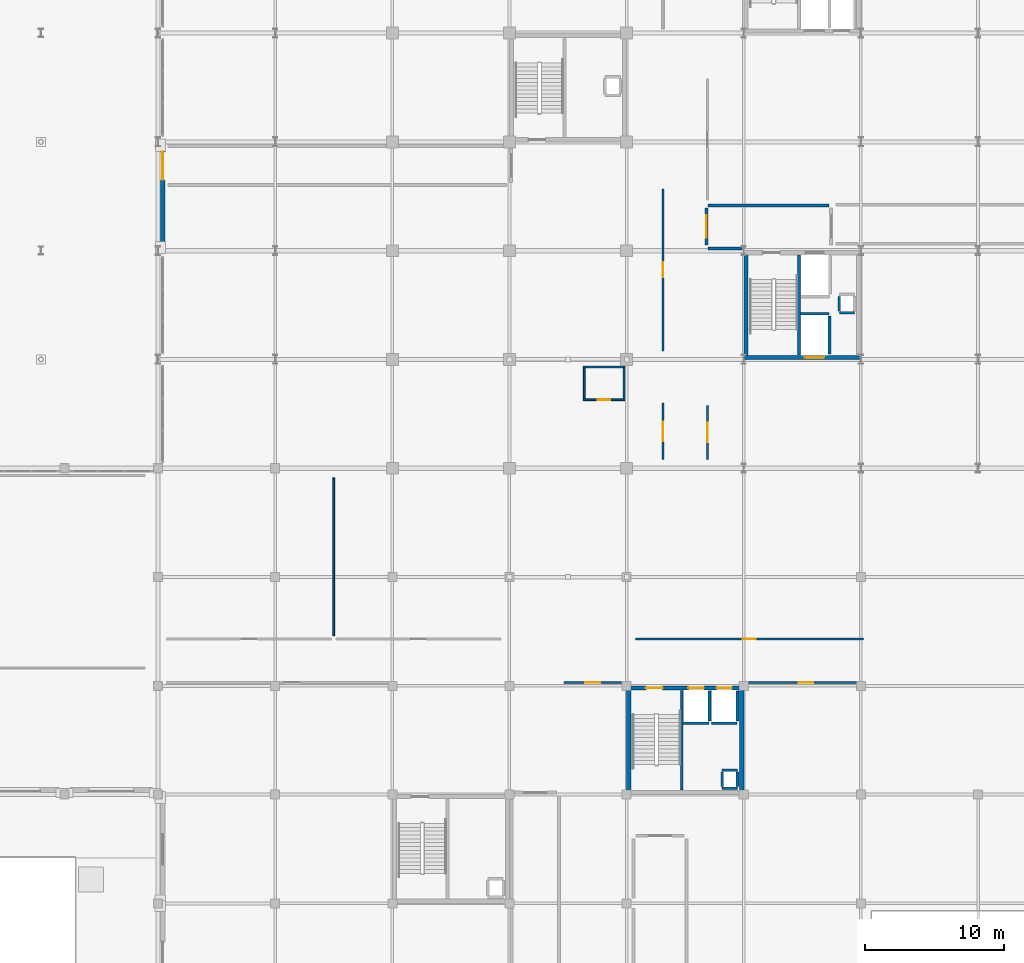
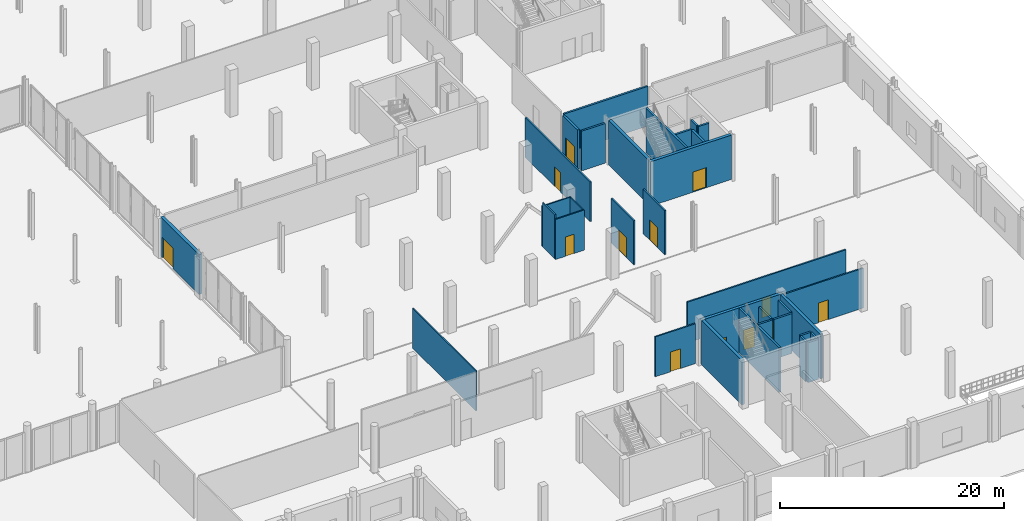
# One storey, part 55 of 80: 34 walls, 13 doors, 13 openings.
"""IFC4 building model written with IfcOpenShell, lengths in metres."""

import ifcopenshell
import ifcopenshell.guid

model = None  # the IFC model being written
_history = None  # IfcOwnerHistory: only IFC2X3 demands one
_inside = {}  # id of a spatial element -> (the spatial element, [elements in it])
_under = {}  # id of a project, library or spatial element -> (it, [spatial elements below it])
_declared = {}  # id of a project -> (the project, [libraries it declares])
_typed = {}  # id of a type object -> (the type object, [elements of that type])
_made_of = {}  # id of a material, layer set ... -> (it, [elements and type objects made of it])


def new_model(schema):
    """Start an empty IFC model of exactly this schema.

    Asked for "IFC4X3", IfcOpenShell would pick the latest addendum, in which some entities
    have other attributes; the version numbers below select the first issue.
    IFC2X3 requires an IfcOwnerHistory on every rooted entity: one is made here for all.
    """
    global model, _history
    if schema == "IFC4X3":
        model = ifcopenshell.file(schema_version=(4, 3, 0, 0))
    else:
        model = ifcopenshell.file(schema=schema)
    _inside.clear()
    _under.clear()
    _declared.clear()
    _typed.clear()
    _made_of.clear()
    _history = None
    if model.schema == "IFC2X3":
        org = make("IfcOrganization", Name="unknown")
        user = make(
            "IfcPersonAndOrganization",
            ThePerson=make("IfcPerson", FamilyName="unknown"),
            TheOrganization=org,
        )
        app = make(
            "IfcApplication",
            ApplicationDeveloper=org,
            Version="unknown",
            ApplicationFullName="unknown",
            ApplicationIdentifier="unknown",
        )
        _history = make(
            "IfcOwnerHistory",
            OwningUser=user,
            OwningApplication=app,
            ChangeAction="ADDED",
            CreationDate=0,
        )
    return model


def make(cls, **values):
    """One entity of the class cls with the attributes given. An attribute that is None is left unset."""
    return model.create_entity(
        cls, **{name: value for name, value in values.items() if value is not None}
    )


def rooted(cls, **values):
    """An entity with a GlobalId (a new one), such as an element, a storey or a relation."""
    return make(cls, GlobalId=ifcopenshell.guid.new(), OwnerHistory=_history, **values)


def si_unit(unit_type, name, prefix=None):
    """IfcSIUnit, for example si_unit("LENGTHUNIT", "METRE", prefix="MILLI")."""
    return make("IfcSIUnit", UnitType=unit_type, Prefix=prefix, Name=name)


def assignment(units):
    """IfcUnitAssignment: the units of a project."""
    return None if units is None else make("IfcUnitAssignment", Units=units)


def point(xyz):
    """IfcCartesianPoint."""
    return None if xyz is None else make("IfcCartesianPoint", Coordinates=xyz)


def direction(xyz):
    """IfcDirection."""
    return None if xyz is None else make("IfcDirection", DirectionRatios=xyz)


def frame(location, z_axis=None, x_axis=None):
    """IfcAxis2Placement3D, a coordinate frame: its origin and axes. An axis left out is left unset."""
    return make(
        "IfcAxis2Placement3D",
        Location=point(location),
        Axis=direction(z_axis),
        RefDirection=direction(x_axis),
    )


def frame_2d(location, x_axis=None):
    """IfcAxis2Placement2D, a coordinate frame in the plane: its origin and x axis."""
    return make(
        "IfcAxis2Placement2D", Location=point(location), RefDirection=direction(x_axis)
    )


def origin():
    """The frame at (0, 0, 0) with its axes left unset."""
    return frame((0.0, 0.0, 0.0))


def place(relative_to, where):
    """IfcLocalPlacement: puts the frame where relative to a parent placement (None: the world)."""
    return make(
        "IfcLocalPlacement", PlacementRelTo=relative_to, RelativePlacement=where
    )


def context(
    kind, dimensions, precision=None, world=None, true_north=None, identifier=None
):
    """IfcGeometricRepresentationContext, for example the 3D "Model" context."""
    return make(
        "IfcGeometricRepresentationContext",
        ContextIdentifier=identifier,
        ContextType=kind,
        CoordinateSpaceDimension=dimensions,
        Precision=precision,
        WorldCoordinateSystem=world,
        TrueNorth=true_north,
    )


def subcontext(parent, identifier, kind, view, scale=None):
    """IfcGeometricRepresentationSubContext, for example "Body" below "Model"."""
    return make(
        "IfcGeometricRepresentationSubContext",
        ContextIdentifier=identifier,
        ContextType=kind,
        ParentContext=parent,
        TargetScale=scale,
        TargetView=view,
    )


def project(units=None, contexts=None):
    """IfcProject with its units and contexts."""
    return rooted(
        "IfcProject",
        Name="project",
        RepresentationContexts=contexts,
        UnitsInContext=assignment(units),
    )


def spatial(cls, under=None, at=None, **own):
    """A site, building, storey or space (cls), placed at a placement, below another one or the project."""
    s = rooted(cls, ObjectPlacement=at, **own)
    if under is not None:
        _under.setdefault(under.id(), (under, []))[1].append(s)
    return s


def profile(cls, at=None, kind="AREA", **sizes):
    """A parametric profile (cls). Its sizes go by their IFC names, for example OverallWidth=200.0."""
    return make(cls, ProfileType=kind, Position=at, **sizes)


def rectangle(**sizes):
    """IfcRectangleProfileDef."""
    return profile("IfcRectangleProfileDef", **sizes)


def extrude(swept, where, along, depth):
    """IfcExtrudedAreaSolid: the profile swept, set in the frame where, extruded along a direction by depth."""
    return make(
        "IfcExtrudedAreaSolid",
        SweptArea=swept,
        Position=where,
        ExtrudedDirection=direction(along),
        Depth=depth,
    )


def shape(context_of_items, identifier, shape_type, items):
    """IfcShapeRepresentation: the items that make up one representation, for example the "Body"."""
    return make(
        "IfcShapeRepresentation",
        ContextOfItems=context_of_items,
        RepresentationIdentifier=identifier,
        RepresentationType=shape_type,
        Items=items,
    )


def material(Name=None, Category=None):
    """IfcMaterial."""
    return make("IfcMaterial", Name=Name, Category=Category)


def layer(
    of_material, thickness, ventilated=None, Name=None, Category=None, Priority=None
):
    """IfcMaterialLayer: one layer of a wall or slab, of a material (None: an air gap)."""
    return make(
        "IfcMaterialLayer",
        Material=of_material,
        LayerThickness=thickness,
        IsVentilated=ventilated,
        Name=Name,
        Category=Category,
        Priority=Priority,
    )


def layer_set(layers, Name=None):
    """IfcMaterialLayerSet."""
    return make("IfcMaterialLayerSet", MaterialLayers=layers, LayerSetName=Name)


def made_of(thing, what):
    """Note that an element or type object is made of a material, layer set ...; save() writes the relation."""
    if what is not None:
        _made_of.setdefault(what.id(), (what, []))[1].append(thing)
    return thing


def type_object(cls, material=None, **own):
    """A type object (cls), such as IfcWallType, which elements share."""
    return made_of(rooted(cls, **own), material)


def element(
    cls,
    number,
    at=None,
    inside=None,
    cuts=None,
    type_object=None,
    material=None,
    context=None,
    identifier="Body",
    shape_type=None,
    held_by="IfcProductDefinitionShape",
    body=None,
    shapes=None,
    **own,
):
    """One element of the class cls, such as IfcWall. Its Tag is "e" and its number.

    at: its placement. inside: the storey or other place that contains it. cuts: it is an
    opening in that element (IfcRelVoidsElement). A single representation is given by context,
    identifier, shape_type and body (its items); several are given by shapes. held_by: the class
    of the entity that holds the representations. save() writes the other relations.
    """
    e = rooted(cls, Tag="e%d" % number, ObjectPlacement=at, **own)
    if body is not None:
        shapes = [shape(context, identifier, shape_type, body)]
    if shapes is not None:
        e.Representation = make(held_by, Representations=shapes)
    if inside is not None:
        _inside.setdefault(inside.id(), (inside, []))[1].append(e)
    if cuts is not None:
        rooted(
            "IfcRelVoidsElement", RelatingBuildingElement=cuts, RelatedOpeningElement=e
        )
    if type_object is not None:
        _typed.setdefault(type_object.id(), (type_object, []))[1].append(e)
    return made_of(e, material)


def fill(opening, filler):
    """IfcRelFillsElement: the door or window that sits in an opening."""
    return rooted(
        "IfcRelFillsElement",
        RelatingOpeningElement=opening,
        RelatedBuildingElement=filler,
    )


def aggregate(whole, parts):
    """IfcRelAggregates: a whole, such as a stair, and the parts it consists of."""
    return rooted("IfcRelAggregates", RelatingObject=whole, RelatedObjects=parts)


def save(model, path):
    """Write the relations noted so far, then the file.

    IfcRelAggregates (storeys below a building ...), IfcRelContainedInSpatialStructure (elements
    in a storey), IfcRelDefinesByType, IfcRelAssociatesMaterial and IfcRelDeclares: one each for
    every whole, place, type object, material and project.
    """
    for whole, parts in _under.values():
        aggregate(whole, parts)
    for where, things in _inside.values():
        rooted(
            "IfcRelContainedInSpatialStructure",
            RelatedElements=things,
            RelatingStructure=where,
        )
    for kind, things in _typed.values():
        rooted("IfcRelDefinesByType", RelatedObjects=things, RelatingType=kind)
    for what, things in _made_of.values():
        rooted("IfcRelAssociatesMaterial", RelatedObjects=things, RelatingMaterial=what)
    for by, libraries in _declared.values():
        rooted("IfcRelDeclares", RelatingContext=by, RelatedDefinitions=libraries)
    model.write(path)


model = new_model("IFC4")

# Units and contexts
model_context = context("Model", 3, precision=1e-05, world=origin(), true_north=direction((0.0, 1.0)))
body_context = subcontext(model_context, "Body", "Model", "MODEL_VIEW")
ifc_project = project(units=[si_unit("LENGTHUNIT", "METRE"), si_unit("AREAUNIT", "SQUARE_METRE"), si_unit("VOLUMEUNIT", "CUBIC_METRE"), si_unit("PLANEANGLEUNIT", "RADIAN"), si_unit("MASSUNIT", "GRAM", prefix="KILO")], contexts=[model_context])

# Site, building, storey
site_placement = place(None, origin())
site = spatial("IfcSite", under=ifc_project, at=site_placement, CompositionType="ELEMENT")
building_placement = place(site_placement, origin())
building = spatial("IfcBuilding", under=site, at=building_placement, Name="Nabrawat Pavilion Hospital", CompositionType="ELEMENT")
storey_placement = place(building_placement, origin())
storey = spatial("IfcBuildingStorey", under=building, at=storey_placement, Name="L00", CompositionType="ELEMENT", Elevation=0.0)

# Wall, opening, door
ifc_material_1 = material(Name="Gypsum Fireboard on Steel Stud", Category="steel")
ifc_layer_1 = layer(ifc_material_1, 0.14990234375, Name="Gypsum Fireboard on Steel Stud")
ifc_layer_set_1 = layer_set([ifc_layer_1], Name="Gypsum Fireboard on Steel Stud")
wall_type_1 = type_object("IfcWallType", Name="Clinical Corridor Smoke-Barrier Wall 150", PredefinedType="PARTITIONING", material=ifc_layer_set_1)
wall_1_placement = place(storey_placement, frame((155.10009765625, 23.635009765625, 0.0), z_axis=(0.0, 0.0, 1.0), x_axis=(1.0, 0.0, 0.0)))
wall_1 = element("IfcWall", 1, at=wall_1_placement, inside=storey, type_object=wall_type_1, Name="L00 Outpatient Clinic Cardiology Consultation Room L00-02 Front Partition", PredefinedType="PARTITIONING", context=body_context, shape_type="SweptSolid", body=[
    extrude(rectangle(XDim=4.14990234375, YDim=0.14990234375, at=frame_2d((2.074951171875, 0.0))), origin(), (0.0, 0.0, 1.0), 4.35009765625),
])
opening_1_placement = place(wall_1_placement, frame((1.550048828125, 0.0, 0.0)))
opening_1 = element("IfcOpeningElement", 2, at=opening_1_placement, cuts=wall_1, Name="Opening D-OPC-R", PredefinedType="OPENING", context=body_context, shape_type="SweptSolid", body=[
    extrude(rectangle(XDim=1.050048828125, YDim=2.14990234375, at=frame_2d((0.52490234375, 1.074951171875))), frame((0.0, 0.0849609375, 0.0), z_axis=(0.0, -1.0, 0.0), x_axis=(1.0, 0.0, 0.0)), (0.0, 0.0, 1.0), 0.169921875),
])
ifc_material_2 = material(Name="Stainless-Clad Acoustic Timber and Vision Glass", Category="wood")
door_type_1 = type_object("IfcDoorType", Name="Outpatient Clinic Consultation Door R 1050x2150", OperationType="NOTDEFINED", PredefinedType="DOOR", material=ifc_material_2)
door_1_placement = place(opening_1_placement, origin())
door_1 = element("IfcDoor", 3, at=door_1_placement, inside=storey, type_object=door_type_1, Name="Outpatient Clinic Cardiology Consultation Room L00-02 Door", OperationType="SINGLE_SWING_LEFT", OverallHeight=2.14990234375, OverallWidth=1.050048828125, PredefinedType="DOOR", context=body_context, shape_type="SweptSolid", body=[
    extrude(rectangle(XDim=1.050048828125, YDim=2.14990234375, at=frame_2d((0.52490234375, 1.074951171875))), frame((0.0, 0.02490234375, 0.0), z_axis=(0.0, -1.0, 0.0), x_axis=(1.0, 0.0, 0.0)), (0.0, 0.0, 1.0), 0.050048828125),
])
fill(opening_1, door_1)

wall_2_placement = place(storey_placement, frame((168.320068359375, 23.635009765625, 0.0), z_axis=(0.0, 0.0, 1.0), x_axis=(1.0, 0.0, 0.0)))
wall_2 = element("IfcWall", 4, at=wall_2_placement, inside=storey, type_object=wall_type_1, Name="L00 Outpatient Phlebotomy Blood Collection Room L00-03 Front Partition", PredefinedType="PARTITIONING", context=body_context, shape_type="SweptSolid", body=[
    extrude(rectangle(XDim=8.260009765625, YDim=0.14990234375, at=frame_2d((4.1298828125, 0.0))), origin(), (0.0, 0.0, 1.0), 4.35009765625),
])
opening_2_placement = place(wall_2_placement, frame((3.60498046875, 0.0, 0.0)))
opening_2 = element("IfcOpeningElement", 5, at=opening_2_placement, cuts=wall_2, Name="Opening D-OPC-L", PredefinedType="OPENING", context=body_context, shape_type="SweptSolid", body=[
    extrude(rectangle(XDim=1.050048828125, YDim=2.14990234375, at=frame_2d((0.52490234375, 1.074951171875))), frame((0.0, 0.0849609375, 0.0), z_axis=(0.0, -1.0, 0.0), x_axis=(1.0, 0.0, 0.0)), (0.0, 0.0, 1.0), 0.169921875),
])
door_type_2 = type_object("IfcDoorType", Name="Outpatient Clinic Consultation Door L 1050x2150", OperationType="NOTDEFINED", PredefinedType="DOOR", material=ifc_material_2)
door_2_placement = place(opening_2_placement, origin())
door_2 = element("IfcDoor", 6, at=door_2_placement, inside=storey, type_object=door_type_2, Name="Outpatient Phlebotomy Blood Collection Room L00-03 Door", OperationType="SINGLE_SWING_RIGHT", OverallHeight=2.14990234375, OverallWidth=1.050048828125, PredefinedType="DOOR", context=body_context, shape_type="SweptSolid", body=[
    extrude(rectangle(XDim=1.050048828125, YDim=2.14990234375, at=frame_2d((0.52490234375, 1.074951171875))), frame((0.0, 0.02490234375, 0.0), z_axis=(0.0, -1.0, 0.0), x_axis=(1.0, 0.0, 0.0)), (0.0, 0.0, 1.0), 0.050048828125),
])
fill(opening_2, door_2)

wall_3_placement = place(storey_placement, frame((160.219970703125, 26.764892578125, 0.0), z_axis=(0.0, 0.0, 1.0), x_axis=(1.0, 0.0, 0.0)))
wall_3 = element("IfcWall", 7, at=wall_3_placement, inside=storey, type_object=wall_type_1, Name="L00 Outpatient Sub-Reception Desk L00-06 Front Partition", PredefinedType="PARTITIONING", context=body_context, shape_type="SweptSolid", body=[
    extrude(rectangle(XDim=16.360107421875, YDim=0.14990234375, at=frame_2d((8.18017578125, 0.0))), origin(), (0.0, 0.0, 1.0), 4.449951171875),
])
opening_3_placement = place(wall_3_placement, frame((7.705078125, 0.0, 0.0)))
opening_3 = element("IfcOpeningElement", 8, at=opening_3_placement, cuts=wall_3, Name="Opening D-ADM", PredefinedType="OPENING", context=body_context, shape_type="SweptSolid", body=[
    extrude(rectangle(XDim=0.949951171875, YDim=2.10009765625, at=frame_2d((0.47509765625, 1.050048828125))), frame((0.0, 0.0849609375, 0.0), z_axis=(0.0, -1.0, 0.0), x_axis=(1.0, 0.0, 0.0)), (0.0, 0.0, 1.0), 0.169921875),
])
door_type_3 = type_object("IfcDoorType", Name="Clinical Office Acoustic Door 950x2100", OperationType="NOTDEFINED", PredefinedType="DOOR", material=ifc_material_2)
door_3_placement = place(opening_3_placement, origin())
door_3 = element("IfcDoor", 9, at=door_3_placement, inside=storey, type_object=door_type_3, Name="Outpatient Sub-Reception Desk L00-06 Door", OperationType="SINGLE_SWING_LEFT", OverallHeight=2.10009765625, OverallWidth=0.949951171875, PredefinedType="DOOR", context=body_context, shape_type="SweptSolid", body=[
    extrude(rectangle(XDim=0.949951171875, YDim=2.10009765625, at=frame_2d((0.47509765625, 1.050048828125))), frame((0.0, 0.02490234375, 0.0), z_axis=(0.0, -1.0, 0.0), x_axis=(1.0, 0.0, 0.0)), (0.0, 0.0, 1.0), 0.050048828125),
])
fill(opening_3, door_3)

wall_4_placement = place(storey_placement, frame((162.2099609375, 39.6201171875, 0.0), z_axis=(0.0, 0.0, 1.0), x_axis=(0.0, 1.0, 0.0)))
wall_4 = element("IfcWall", 10, at=wall_4_placement, inside=storey, type_object=wall_type_1, Name="L00 Inpatient Ward Ground Observation Bedroom L00-01 Front Partition", PredefinedType="PARTITIONING", context=body_context, shape_type="SweptSolid", body=[
    extrude(rectangle(XDim=4.0498046875, YDim=0.14990234375, at=frame_2d((2.02490234375, 0.0))), origin(), (0.0, 0.0, 1.0), 4.820068359375),
])
opening_4_placement = place(wall_4_placement, frame((1.324951171875, 0.0, 0.0)))
opening_4 = element("IfcOpeningElement", 11, at=opening_4_placement, cuts=wall_4, Name="Opening D-BED", PredefinedType="OPENING", context=body_context, shape_type="SweptSolid", body=[
    extrude(rectangle(XDim=1.39990234375, YDim=2.199951171875, at=frame_2d((0.699951171875, 1.10009765625))), frame((0.0, 0.0849609375, 0.0), z_axis=(0.0, -1.0, 0.0), x_axis=(1.0, 0.0, 0.0)), (0.0, 0.0, 1.0), 0.169921875),
])
door_type_4 = type_object("IfcDoorType", Name="D-BED Inpatient Ward Leaf-and-a-Half Door 1400x2200", OperationType="NOTDEFINED", PredefinedType="DOOR", material=ifc_material_2)
door_4_placement = place(opening_4_placement, origin())
door_4 = element("IfcDoor", 12, at=door_4_placement, inside=storey, type_object=door_type_4, Name="Inpatient Ward Ground Observation Bedroom L00-01 Door", OperationType="SINGLE_SWING_RIGHT", OverallHeight=2.199951171875, OverallWidth=1.39990234375, PredefinedType="DOOR", context=body_context, shape_type="SweptSolid", body=[
    extrude(rectangle(XDim=1.39990234375, YDim=2.199951171875, at=frame_2d((0.699951171875, 1.10009765625))), frame((0.0, 0.02490234375, 0.0), z_axis=(0.0, -1.0, 0.0), x_axis=(1.0, 0.0, 0.0)), (0.0, 0.0, 1.0), 0.050048828125),
])
fill(opening_4, door_4)

wall_5_placement = place(storey_placement, frame((162.2099609375, 47.419921875, 0.0), z_axis=(0.0, 0.0, 1.0), x_axis=(0.0, 1.0, 0.0)))
wall_5 = element("IfcWall", 13, at=wall_5_placement, inside=storey, type_object=wall_type_1, Name="L00 Physical Rehabilitation Therapy Hall L00-02 Front Partition", PredefinedType="PARTITIONING", context=body_context, shape_type="SweptSolid", body=[
    extrude(rectangle(XDim=11.6201171875, YDim=0.14990234375, at=frame_2d((5.81005859375, 0.0))), origin(), (0.0, 0.0, 1.0), 4.330078125),
])
opening_5_placement = place(wall_5_placement, frame((5.284912109375, 0.0, 0.0)))
opening_5 = element("IfcOpeningElement", 14, at=opening_5_placement, cuts=wall_5, Name="Opening D-OPC-L", PredefinedType="OPENING", context=body_context, shape_type="SweptSolid", body=[
    extrude(rectangle(XDim=1.050048828125, YDim=2.14990234375, at=frame_2d((0.52490234375, 1.074951171875))), frame((0.0, 0.0849609375, 0.0), z_axis=(0.0, -1.0, 0.0), x_axis=(1.0, 0.0, 0.0)), (0.0, 0.0, 1.0), 0.169921875),
])
door_5_placement = place(opening_5_placement, origin())
door_5 = element("IfcDoor", 15, at=door_5_placement, inside=storey, type_object=door_type_2, Name="Physical Rehabilitation Therapy Hall L00-02 Door", OperationType="SINGLE_SWING_RIGHT", OverallHeight=2.14990234375, OverallWidth=1.050048828125, PredefinedType="DOOR", context=body_context, shape_type="SweptSolid", body=[
    extrude(rectangle(XDim=1.050048828125, YDim=2.14990234375, at=frame_2d((0.52490234375, 1.074951171875))), frame((0.0, 0.02490234375, 0.0), z_axis=(0.0, -1.0, 0.0), x_axis=(1.0, 0.0, 0.0)), (0.0, 0.0, 1.0), 0.050048828125),
])
fill(opening_5, door_5)

wall_6_placement = place(storey_placement, frame((165.389892578125, 39.6201171875, 0.0), z_axis=(0.0, 0.0, 1.0), x_axis=(0.0, 1.0, 0.0)))
wall_6 = element("IfcWall", 16, at=wall_6_placement, inside=storey, type_object=wall_type_1, Name="L00 Inpatient Ward Ground Observation Bedroom L00-07 Front Partition", PredefinedType="PARTITIONING", context=body_context, shape_type="SweptSolid", body=[
    extrude(rectangle(XDim=3.8798828125, YDim=0.14990234375, at=frame_2d((1.93994140625, 0.0))), origin(), (0.0, 0.0, 1.0), 4.820068359375),
])
opening_6_placement = place(wall_6_placement, frame((1.239990234375, 0.0, 0.0)))
opening_6 = element("IfcOpeningElement", 17, at=opening_6_placement, cuts=wall_6, Name="Opening D-BED", PredefinedType="OPENING", context=body_context, shape_type="SweptSolid", body=[
    extrude(rectangle(XDim=1.39990234375, YDim=2.199951171875, at=frame_2d((0.699951171875, 1.10009765625))), frame((0.0, 0.0849609375, 0.0), z_axis=(0.0, -1.0, 0.0), x_axis=(1.0, 0.0, 0.0)), (0.0, 0.0, 1.0), 0.169921875),
])
door_6_placement = place(opening_6_placement, origin())
door_6 = element("IfcDoor", 18, at=door_6_placement, inside=storey, type_object=door_type_4, Name="Inpatient Ward Ground Observation Bedroom L00-07 Door", OperationType="SINGLE_SWING_LEFT", OverallHeight=2.199951171875, OverallWidth=1.39990234375, PredefinedType="DOOR", context=body_context, shape_type="SweptSolid", body=[
    extrude(rectangle(XDim=1.39990234375, YDim=2.199951171875, at=frame_2d((0.699951171875, 1.10009765625))), frame((0.0, 0.02490234375, 0.0), z_axis=(0.0, -1.0, 0.0), x_axis=(1.0, 0.0, 0.0)), (0.0, 0.0, 1.0), 0.050048828125),
])
fill(opening_6, door_6)

ifc_material_3 = material(Name="Precast concrete C40/50", Category="concrete")
ifc_layer_2 = layer(ifc_material_3, 0.320068359375, Name="Precast concrete C40/50")
ifc_layer_set_2 = layer_set([ifc_layer_2], Name="Precast concrete C40/50")
wall_type_2 = type_object("IfcWallType", Name="Deep-Reveal Precast Facade Wall 320", PredefinedType="SOLIDWALL", material=ifc_layer_set_2)
wall_7_placement = place(storey_placement, frame((126.340087890625, 55.06494140625, 0.0), z_axis=(0.0, 0.0, 1.0), x_axis=(0.0, 1.0, 0.0)))
wall_7 = element("IfcWall", 19, at=wall_7_placement, inside=storey, type_object=wall_type_2, Name="L00 Courtyard Protected Exit Discharge Wall ST-09", PredefinedType="SOLIDWALL", context=body_context, shape_type="SweptSolid", body=[
    extrude(rectangle(XDim=6.8701171875, YDim=0.320068359375, at=frame_2d((3.43505859375, 0.0))), origin(), (0.0, 0.0, 1.0), 4.330078125),
])
opening_7_placement = place(wall_7_placement, frame((4.6201171875, 0.0, 0.0)))
opening_7 = element("IfcOpeningElement", 20, at=opening_7_placement, cuts=wall_7, Name="Opening ED-EXIT-200", PredefinedType="OPENING", context=body_context, shape_type="SweptSolid", body=[
    extrude(rectangle(XDim=2.0, YDim=2.25, at=frame_2d((1.0, 1.125))), frame((0.0, 0.169921875, 0.0), z_axis=(0.0, -1.0, 0.0), x_axis=(1.0, 0.0, 0.0)), (0.0, 0.0, 1.0), 0.340087890625),
])
ifc_material_4 = material(Name="Powder-Coated Galvanised Steel and Safety Glass", Category="steel")
door_type_5 = type_object("IfcDoorType", Name="Secondary Final-Exit Double Door 2000x2250", OperationType="NOTDEFINED", PredefinedType="DOOR", material=ifc_material_4)
door_7_placement = place(opening_7_placement, origin())
door_7 = element("IfcDoor", 21, at=door_7_placement, inside=storey, type_object=door_type_5, Name="L00 ST-09 Protected Exit Discharge Final Exit Door", OperationType="DOUBLE_DOOR_SINGLE_SWING", OverallHeight=2.25, OverallWidth=2.0, PredefinedType="DOOR", context=body_context, shape_type="SweptSolid", body=[
    extrude(rectangle(XDim=2.0, YDim=2.25, at=frame_2d((1.0, 1.125))), frame((0.0, 0.02490234375, 0.0), z_axis=(0.0, -1.0, 0.0), x_axis=(1.0, 0.0, 0.0)), (0.0, 0.0, 1.0), 0.050048828125),
])
fill(opening_7, door_7)

ifc_material_5 = material(Name="Cement Board on Steel Stud", Category="steel")
ifc_layer_3 = layer(ifc_material_5, 0.1298828125, Name="Cement Board on Steel Stud")
ifc_layer_set_3 = layer_set([ifc_layer_3], Name="Cement Board on Steel Stud")
wall_type_3 = type_object("IfcWallType", Name="En-Suite Moisture-Resistant Partition 130", PredefinedType="PARTITIONING", material=ifc_layer_set_3)
wall_8_placement = place(storey_placement, frame((156.4951171875, 43.909912109375, 0.0), z_axis=(0.0, 0.0, 1.0), x_axis=(1.0, 0.0, 0.0)))
wall_8 = element("IfcWall", 22, at=wall_8_placement, inside=storey, type_object=wall_type_3, Name="L00 En-Suite Bathroom WRD-OBS-01 Front Partition", PredefinedType="PARTITIONING", context=body_context, shape_type="SweptSolid", body=[
    extrude(rectangle(XDim=2.97998046875, YDim=0.1298828125, at=frame_2d((1.489990234375, 0.0))), origin(), (0.0, 0.0, 1.0), 4.3798828125),
])
opening_8_placement = place(wall_8_placement, frame((1.0400390625, 0.0, 0.0)))
opening_8 = element("IfcOpeningElement", 23, at=opening_8_placement, cuts=wall_8, Name="Opening D-ENS-R", PredefinedType="OPENING", context=body_context, shape_type="SweptSolid", body=[
    extrude(rectangle(XDim=0.89990234375, YDim=2.10009765625, at=frame_2d((0.449951171875, 1.050048828125))), frame((0.0, 0.074951171875, 0.0), z_axis=(0.0, -1.0, 0.0), x_axis=(1.0, 0.0, 0.0)), (0.0, 0.0, 1.0), 0.14990234375),
])
door_type_6 = type_object("IfcDoorType", Name="En-Suite Bathroom Outward Door R 900x2100", OperationType="NOTDEFINED", PredefinedType="DOOR", material=ifc_material_2)
door_8_placement = place(opening_8_placement, origin())
door_8 = element("IfcDoor", 24, at=door_8_placement, inside=storey, type_object=door_type_6, Name="En-Suite Bathroom WRD-OBS-01 Door", OperationType="SINGLE_SWING_LEFT", OverallHeight=2.10009765625, OverallWidth=0.89990234375, PredefinedType="DOOR", context=body_context, shape_type="SweptSolid", body=[
    extrude(rectangle(XDim=0.89990234375, YDim=2.10009765625, at=frame_2d((0.449951171875, 1.050048828125))), frame((0.0, 0.02490234375, 0.0), z_axis=(0.0, -1.0, 0.0), x_axis=(1.0, 0.0, 0.0)), (0.0, 0.0, 1.0), 0.050048828125),
])
fill(opening_8, door_8)

# Walls
wall_9_placement = place(storey_placement, frame((156.4951171875, 46.260009765625, 0.0), z_axis=(0.0, 0.0, 1.0), x_axis=(1.0, 0.0, 0.0)))
element("IfcWall", 25, at=wall_9_placement, inside=storey, type_object=wall_type_3, Name="L00 En-Suite Bathroom WRD-OBS-01 North Partition", PredefinedType="PARTITIONING", context=body_context, shape_type="SweptSolid", body=[
    extrude(rectangle(XDim=2.97998046875, YDim=0.1298828125, at=frame_2d((1.489990234375, 0.0))), origin(), (0.0, 0.0, 1.0), 4.3798828125),
])
wall_10_placement = place(storey_placement, frame((156.56005859375, 43.97509765625, 0.0), z_axis=(0.0, 0.0, 1.0), x_axis=(0.0, 1.0, 0.0)))
element("IfcWall", 26, at=wall_10_placement, inside=storey, type_object=wall_type_3, Name="L00 En-Suite Bathroom WRD-OBS-01 West Partition", PredefinedType="PARTITIONING", context=body_context, shape_type="SweptSolid", body=[
    extrude(rectangle(XDim=2.219970703125, YDim=0.1298828125, at=frame_2d((1.10986328125, 0.0))), origin(), (0.0, 0.0, 1.0), 4.820068359375),
])
wall_11_placement = place(storey_placement, frame((159.409912109375, 43.97509765625, 0.0), z_axis=(0.0, 0.0, 1.0), x_axis=(0.0, 1.0, 0.0)))
element("IfcWall", 27, at=wall_11_placement, inside=storey, type_object=wall_type_3, Name="L00 En-Suite Bathroom WRD-OBS-01 East Partition", PredefinedType="PARTITIONING", context=body_context, shape_type="SweptSolid", body=[
    extrude(rectangle(XDim=2.219970703125, YDim=0.1298828125, at=frame_2d((1.10986328125, 0.0))), origin(), (0.0, 0.0, 1.0), 4.3798828125),
])
ifc_material_6 = material(Name="Concrete C35/45", Category="concrete")
ifc_layer_4 = layer(ifc_material_6, 0.199951171875, Name="Concrete C35/45")
ifc_layer_set_4 = layer_set([ifc_layer_4], Name="Concrete C35/45")
wall_type_4 = type_object("IfcWallType", Name="Firefighting Lobby Compartment Wall 200", PredefinedType="PARTITIONING", material=ifc_layer_set_4)
wall_12_placement = place(storey_placement, frame((165.43994140625, 54.75, 0.0), z_axis=(0.0, 0.0, 1.0), x_axis=(1.0, 0.0, 0.0)))
element("IfcWall", 28, at=wall_12_placement, inside=storey, type_object=wall_type_4, Name="L00 CORE-5 Firefighting Lobby South Return Wall", PredefinedType="PARTITIONING", context=body_context, shape_type="SweptSolid", body=[
    extrude(rectangle(XDim=2.43994140625, YDim=0.199951171875, at=frame_2d((1.219970703125, 0.0))), origin(), (0.0, 0.0, 1.0), 4.330078125),
])
wall_13_placement = place(storey_placement, frame((165.43994140625, 57.85009765625, 0.0), z_axis=(0.0, 0.0, 1.0), x_axis=(1.0, 0.0, 0.0)))
element("IfcWall", 29, at=wall_13_placement, inside=storey, type_object=wall_type_4, Name="L00 CORE-5 Firefighting Lobby North Compartment Wall", PredefinedType="PARTITIONING", context=body_context, shape_type="SweptSolid", body=[
    extrude(rectangle(XDim=8.66015625, YDim=0.199951171875, at=frame_2d((4.330078125, 0.0))), origin(), (0.0, 0.0, 1.0), 4.330078125),
])

# Wall, opening, door
wall_14_placement = place(storey_placement, frame((165.320068359375, 55.0, 0.0), z_axis=(0.0, 0.0, 1.0), x_axis=(0.0, 1.0, 0.0)))
wall_14 = element("IfcWall", 30, at=wall_14_placement, inside=storey, type_object=wall_type_4, Name="L00 CORE-5 Firefighting Lobby West Compartment Wall", PredefinedType="PARTITIONING", context=body_context, shape_type="SweptSolid", body=[
    extrude(rectangle(XDim=2.64990234375, YDim=0.199951171875, at=frame_2d((1.324951171875, 0.0))), origin(), (0.0, 0.0, 1.0), 4.330078125),
])
opening_9_placement = place(wall_14_placement, frame((0.52490234375, 0.0, 0.0)))
opening_9 = element("IfcOpeningElement", 31, at=opening_9_placement, cuts=wall_14, Name="Opening D-FFL", PredefinedType="OPENING", context=body_context, shape_type="SweptSolid", body=[
    extrude(rectangle(XDim=1.60009765625, YDim=2.199951171875, at=frame_2d((0.800048828125, 1.10009765625))), frame((0.0, 0.10986328125, 0.0), z_axis=(0.0, -1.0, 0.0), x_axis=(1.0, 0.0, 0.0)), (0.0, 0.0, 1.0), 0.219970703125),
])
door_type_7 = type_object("IfcDoorType", Name="D-FFL Firefighting Lobby Double Smoke Door 1600x2200", OperationType="NOTDEFINED", PredefinedType="DOOR", material=ifc_material_2)
door_9_placement = place(opening_9_placement, origin())
door_9 = element("IfcDoor", 32, at=door_9_placement, inside=storey, type_object=door_type_7, Name="L00 CORE-5 Firefighting Lobby West Smoke Door", OperationType="DOUBLE_DOOR_SINGLE_SWING", OverallHeight=2.199951171875, OverallWidth=1.60009765625, PredefinedType="DOOR", context=body_context, shape_type="SweptSolid", body=[
    extrude(rectangle(XDim=1.60009765625, YDim=2.199951171875, at=frame_2d((0.800048828125, 1.10009765625))), frame((0.0, 0.02490234375, 0.0), z_axis=(0.0, -1.0, 0.0), x_axis=(1.0, 0.0, 0.0)), (0.0, 0.0, 1.0), 0.050048828125),
])
fill(opening_9, door_9)

# Walls
ifc_layer_5 = layer(ifc_material_6, 0.199951171875, Name="Concrete C35/45")
ifc_layer_set_5 = layer_set([ifc_layer_5], Name="Concrete C35/45")
wall_type_5 = type_object("IfcWallType", Name="Lift and Riser Fire Shaft Wall 200", PredefinedType="PARTITIONING", material=ifc_layer_set_5)
wall_15_placement = place(storey_placement, frame((163.550048828125, 15.919921875, 0.0), z_axis=(0.0, 0.0, 1.0), x_axis=(0.0, 1.0, 0.0)))
element("IfcWall", 33, at=wall_15_placement, inside=storey, type_object=wall_type_5, Name="L00 CORE-4 Stair-Lift Dividing Shear Wall", PredefinedType="SHEAR", context=body_context, shape_type="SweptSolid", body=[
    extrude(rectangle(XDim=7.16015625, YDim=0.199951171875, at=frame_2d((3.580078125, 0.0))), origin(), (0.0, 0.0, 1.0), 4.8701171875),
])
for number, where, z_axis, x_axis, name in (
    (34, (166.449951171875, 16.050048828125, 0.0), (0.0, 0.0, 1.0), (1.0, 0.0, 0.0), "L00 CORE-4 MEP Riser Shaft Wall S"),
    (35, (166.449951171875, 17.35009765625, 0.0), (0.0, 0.0, 1.0), (1.0, 0.0, 0.0), "L00 CORE-4 MEP Riser Shaft Wall N"),
):
    element("IfcWall", number, at=place(storey_placement, frame(where, z_axis=z_axis, x_axis=x_axis)), inside=storey, type_object=wall_type_5, Name=name, PredefinedType="PARTITIONING", context=body_context, shape_type="SweptSolid", body=[
        extrude(rectangle(XDim=1.10009765625, YDim=0.199951171875, at=frame_2d((0.550048828125, 0.0))), origin(), (0.0, 0.0, 1.0), 4.35009765625),
    ])
for number, where, z_axis, x_axis, name in (
    (36, (166.449951171875, 16.169921875, 0.0), (0.0, 0.0, 1.0), (0.0, 1.0, 0.0), "L00 CORE-4 MEP Riser Shaft Wall W"),
    (37, (167.550048828125, 16.169921875, 0.0), (0.0, 0.0, 1.0), (0.0, 1.0, 0.0), "L00 CORE-4 MEP Riser Shaft Wall E"),
):
    element("IfcWall", number, at=place(storey_placement, frame(where, z_axis=z_axis, x_axis=x_axis)), inside=storey, type_object=wall_type_5, Name=name, PredefinedType="PARTITIONING", context=body_context, shape_type="SweptSolid", body=[
        extrude(rectangle(XDim=1.06005859375, YDim=0.199951171875, at=frame_2d((0.530029296875, 0.0))), origin(), (0.0, 0.0, 1.0), 4.35009765625),
    ])
wall_16_placement = place(storey_placement, frame((165.5400390625, 20.8798828125, 0.0), z_axis=(0.0, 0.0, 1.0), x_axis=(0.0, 1.0, 0.0)))
element("IfcWall", 38, at=wall_16_placement, inside=storey, type_object=wall_type_5, Name="L00 Lift LP-03 Shaft East Wall", PredefinedType="PARTITIONING", context=body_context, shape_type="SweptSolid", body=[
    extrude(rectangle(XDim=2.14013671875, YDim=0.199951171875, at=frame_2d((1.070068359375, 0.0))), origin(), (0.0, 0.0, 1.0), 4.35009765625),
])
wall_17_placement = place(storey_placement, frame((163.64990234375, 20.719970703125, 0.0), z_axis=(0.0, 0.0, 1.0), x_axis=(1.0, 0.0, 0.0)))
element("IfcWall", 39, at=wall_17_placement, inside=storey, type_object=wall_type_5, Name="L00 Lift LP-03 Shaft Back Wall", PredefinedType="PARTITIONING", context=body_context, shape_type="SweptSolid", body=[
    extrude(rectangle(XDim=1.860107421875, YDim=0.199951171875, at=frame_2d((0.93017578125, 0.0))), origin(), (0.0, 0.0, 1.0), 4.35009765625),
])
wall_18_placement = place(storey_placement, frame((167.56005859375, 20.8798828125, 0.0), z_axis=(0.0, 0.0, 1.0), x_axis=(0.0, 1.0, 0.0)))
element("IfcWall", 40, at=wall_18_placement, inside=storey, type_object=wall_type_5, Name="L00 Lift LP-04 Shaft East Wall", PredefinedType="PARTITIONING", context=body_context, shape_type="SweptSolid", body=[
    extrude(rectangle(XDim=2.14013671875, YDim=0.199951171875, at=frame_2d((1.070068359375, 0.0))), origin(), (0.0, 0.0, 1.0), 4.35009765625),
])
wall_19_placement = place(storey_placement, frame((165.669921875, 20.719970703125, 0.0), z_axis=(0.0, 0.0, 1.0), x_axis=(1.0, 0.0, 0.0)))
element("IfcWall", 41, at=wall_19_placement, inside=storey, type_object=wall_type_5, Name="L00 Lift LP-04 Shaft Back Wall", PredefinedType="PARTITIONING", context=body_context, shape_type="SweptSolid", body=[
    extrude(rectangle(XDim=1.860107421875, YDim=0.199951171875, at=frame_2d((0.93017578125, 0.0))), origin(), (0.0, 0.0, 1.0), 4.35009765625),
])
wall_20_placement = place(storey_placement, frame((171.949951171875, 47.1201171875, 0.0), z_axis=(0.0, 0.0, 1.0), x_axis=(0.0, 1.0, 0.0)))
element("IfcWall", 42, at=wall_20_placement, inside=storey, type_object=wall_type_5, Name="L00 CORE-5 Stair-Lift Dividing Shear Wall", PredefinedType="SHEAR", context=body_context, shape_type="SweptSolid", body=[
    extrude(rectangle(XDim=7.159912109375, YDim=0.199951171875, at=frame_2d((3.580078125, 0.0))), origin(), (0.0, 0.0, 1.0), 4.85009765625),
])
wall_21_placement = place(storey_placement, frame((174.85009765625, 50.14990234375, 0.0), z_axis=(0.0, 0.0, 1.0), x_axis=(1.0, 0.0, 0.0)))
element("IfcWall", 43, at=wall_21_placement, inside=storey, type_object=wall_type_5, Name="L00 CORE-5 MEP Riser Shaft Wall S", PredefinedType="PARTITIONING", context=body_context, shape_type="SweptSolid", body=[
    extrude(rectangle(XDim=1.099853515625, YDim=0.199951171875, at=frame_2d((0.5498046875, 0.0))), origin(), (0.0, 0.0, 1.0), 4.330078125),
])
wall_22_placement = place(storey_placement, frame((174.85009765625, 50.27001953125, 0.0), z_axis=(0.0, 0.0, 1.0), x_axis=(0.0, 1.0, 0.0)))
element("IfcWall", 44, at=wall_22_placement, inside=storey, type_object=wall_type_5, Name="L00 CORE-5 MEP Riser Shaft Wall W", PredefinedType="PARTITIONING", context=body_context, shape_type="SweptSolid", body=[
    extrude(rectangle(XDim=1.06005859375, YDim=0.199951171875, at=frame_2d((0.530029296875, 0.0))), origin(), (0.0, 0.0, 1.0), 4.330078125),
])
wall_23_placement = place(storey_placement, frame((174.139892578125, 47.179931640625, 0.0), z_axis=(0.0, 0.0, 1.0), x_axis=(0.0, 1.0, 0.0)))
element("IfcWall", 45, at=wall_23_placement, inside=storey, type_object=wall_type_5, Name="L00 Lift LB-03 Shaft East Wall", PredefinedType="PARTITIONING", context=body_context, shape_type="SweptSolid", body=[
    extrude(rectangle(XDim=2.739990234375, YDim=0.199951171875, at=frame_2d((1.3701171875, 0.0))), origin(), (0.0, 0.0, 1.0), 4.330078125),
])
wall_24_placement = place(storey_placement, frame((172.050048828125, 50.080078125, 0.0), z_axis=(0.0, 0.0, 1.0), x_axis=(1.0, 0.0, 0.0)))
element("IfcWall", 46, at=wall_24_placement, inside=storey, type_object=wall_type_5, Name="L00 Lift LB-03 Shaft Back Wall", PredefinedType="PARTITIONING", context=body_context, shape_type="SweptSolid", body=[
    extrude(rectangle(XDim=2.06005859375, YDim=0.199951171875, at=frame_2d((1.030029296875, 0.0))), origin(), (0.0, 0.0, 1.0), 4.330078125),
])
ifc_material_7 = material(Name="Gypsum Plasterboard on Stud", Category="gypsum")
ifc_layer_6 = layer(ifc_material_7, 0.1201171875, Name="Gypsum Plasterboard on Stud")
ifc_layer_set_6 = layer_set([ifc_layer_6], Name="Gypsum Plasterboard on Stud")
wall_type_6 = type_object("IfcWallType", Name="Outpatient Consultation Partition 120", PredefinedType="PARTITIONING", material=ifc_layer_set_6)
wall_25_placement = place(storey_placement, frame((138.60009765625, 26.985107421875, 0.0), z_axis=(0.0, 0.0, 1.0), x_axis=(0.0, 1.0, 0.0)))
element("IfcWall", 47, at=wall_25_placement, inside=storey, type_object=wall_type_6, Name="L00 Outpatient Audiology and ENT Testing Booth L00-04 Dividing Partition", PredefinedType="PARTITIONING", context=body_context, shape_type="SweptSolid", body=[
    extrude(rectangle(XDim=11.324951171875, YDim=0.1201171875, at=frame_2d((5.66259765625, 0.0))), origin(), (0.0, 0.0, 1.0), 4.35009765625),
])

# Wall, openings, doors
ifc_material_8 = material(Name="Concrete C40/50", Category="concrete")
ifc_layer_7 = layer(ifc_material_8, 0.300048828125, Name="Concrete C40/50")
ifc_layer_set_7 = layer_set([ifc_layer_7], Name="Concrete C40/50")
wall_type_7 = type_object("IfcWallType", Name="Reinforced Concrete Core Shear Wall 300", PredefinedType="SHEAR", material=ifc_layer_set_7)
wall_26_placement = place(storey_placement, frame((159.60009765625, 23.25, 0.0), z_axis=(0.0, 0.0, 1.0), x_axis=(1.0, 0.0, 0.0)))
wall_26 = element("IfcWall", 48, at=wall_26_placement, inside=storey, type_object=wall_type_7, Name="L00 CORE-4 North Core Shear Wall", PredefinedType="SHEAR", context=body_context, shape_type="SweptSolid", body=[
    extrude(rectangle(XDim=8.39990234375, YDim=0.300048828125, at=frame_2d((4.199951171875, 0.0))), origin(), (0.0, 0.0, 1.0), 4.8701171875),
])
opening_10_placement = place(wall_26_placement, frame((1.3798828125, 0.0, 0.0)))
opening_10 = element("IfcOpeningElement", 49, at=opening_10_placement, cuts=wall_26, Name="Opening D-STAIR", PredefinedType="OPENING", context=body_context, shape_type="SweptSolid", body=[
    extrude(rectangle(XDim=1.199951171875, YDim=2.14990234375, at=frame_2d((0.60009765625, 1.074951171875))), frame((0.0, 0.16015625, 0.0), z_axis=(0.0, -1.0, 0.0), x_axis=(1.0, 0.0, 0.0)), (0.0, 0.0, 1.0), 0.320068359375),
])
opening_11_placement = place(wall_26_placement, frame((4.429931640625, 0.0, 0.0)))
opening_11 = element("IfcOpeningElement", 50, at=opening_11_placement, cuts=wall_26, Name="Opening LD-LP-03", PredefinedType="OPENING", context=body_context, shape_type="SweptSolid", body=[
    extrude(rectangle(XDim=1.10009765625, YDim=2.14990234375, at=frame_2d((0.550048828125, 1.074951171875))), frame((0.0, 0.16015625, 0.0), z_axis=(0.0, -1.0, 0.0), x_axis=(1.0, 0.0, 0.0)), (0.0, 0.0, 1.0), 0.320068359375),
])
opening_12_placement = place(wall_26_placement, frame((6.449951171875, 0.0, 0.0)))
opening_12 = element("IfcOpeningElement", 51, at=opening_12_placement, cuts=wall_26, Name="Opening LD-LP-04", PredefinedType="OPENING", context=body_context, shape_type="SweptSolid", body=[
    extrude(rectangle(XDim=1.10009765625, YDim=2.14990234375, at=frame_2d((0.550048828125, 1.074951171875))), frame((0.0, 0.16015625, 0.0), z_axis=(0.0, -1.0, 0.0), x_axis=(1.0, 0.0, 0.0)), (0.0, 0.0, 1.0), 0.320068359375),
])
door_type_8 = type_object("IfcDoorType", Name="D-STAIR Exit Stair Fire Door 1200x2150", OperationType="NOTDEFINED", PredefinedType="DOOR", material=ifc_material_2)
door_10_placement = place(opening_10_placement, origin())
door_10 = element("IfcDoor", 52, at=door_10_placement, inside=storey, type_object=door_type_8, Name="L00 ST-04 Fire Exit Stair Door", OperationType="SINGLE_SWING_RIGHT", OverallHeight=2.14990234375, OverallWidth=1.199951171875, PredefinedType="DOOR", context=body_context, shape_type="SweptSolid", body=[
    extrude(rectangle(XDim=1.199951171875, YDim=2.14990234375, at=frame_2d((0.60009765625, 1.074951171875))), frame((0.0, 0.02490234375, 0.0), z_axis=(0.0, -1.0, 0.0), x_axis=(1.0, 0.0, 0.0)), (0.0, 0.0, 1.0), 0.050048828125),
])
fill(opening_10, door_10)
door_type_9 = type_object("IfcDoorType", Name="Passenger Lift Sliding Landing Door 1100x2150", OperationType="DOUBLE_DOOR_SLIDING", PredefinedType="DOOR", material=ifc_material_2)
door_11_placement = place(opening_11_placement, origin())
door_11 = element("IfcDoor", 53, at=door_11_placement, inside=storey, type_object=door_type_9, Name="L00 Lift LP-03 Sliding Landing Door", OperationType="DOUBLE_DOOR_SLIDING", OverallHeight=2.14990234375, OverallWidth=1.10009765625, PredefinedType="DOOR", context=body_context, shape_type="SweptSolid", body=[
    extrude(rectangle(XDim=1.10009765625, YDim=2.14990234375, at=frame_2d((0.550048828125, 1.074951171875))), frame((0.0, 0.02490234375, 0.0), z_axis=(0.0, -1.0, 0.0), x_axis=(1.0, 0.0, 0.0)), (0.0, 0.0, 1.0), 0.050048828125),
])
fill(opening_11, door_11)
door_12_placement = place(opening_12_placement, origin())
door_12 = element("IfcDoor", 54, at=door_12_placement, inside=storey, type_object=door_type_9, Name="L00 Lift LP-04 Sliding Landing Door", OperationType="DOUBLE_DOOR_SLIDING", OverallHeight=2.14990234375, OverallWidth=1.10009765625, PredefinedType="DOOR", context=body_context, shape_type="SweptSolid", body=[
    extrude(rectangle(XDim=1.10009765625, YDim=2.14990234375, at=frame_2d((0.550048828125, 1.074951171875))), frame((0.0, 0.02490234375, 0.0), z_axis=(0.0, -1.0, 0.0), x_axis=(1.0, 0.0, 0.0)), (0.0, 0.0, 1.0), 0.050048828125),
])
fill(opening_12, door_12)

# Walls
for number, where, z_axis, x_axis, name in (
    (55, (159.75, 15.89990234375, 0.0), (0.0, 0.0, 1.0), (0.0, 1.0, 0.0), "L00 CORE-4 West Core Shear Wall"),
    (56, (167.85009765625, 15.89990234375, 0.0), (0.0, 0.0, 1.0), (0.0, 1.0, 0.0), "L00 CORE-4 East Core Shear Wall"),
):
    element("IfcWall", number, at=place(storey_placement, frame(where, z_axis=z_axis, x_axis=x_axis)), inside=storey, type_object=wall_type_7, Name=name, PredefinedType="SHEAR", context=body_context, shape_type="SweptSolid", body=[
        extrude(rectangle(XDim=7.2001953125, YDim=0.300048828125, at=frame_2d((3.60009765625, 0.0))), origin(), (0.0, 0.0, 1.0), 4.8701171875),
    ])

# Wall, opening, door
wall_27_placement = place(storey_placement, frame((168.0, 46.949951171875, 0.0), z_axis=(0.0, 0.0, 1.0), x_axis=(1.0, 0.0, 0.0)))
wall_27 = element("IfcWall", 57, at=wall_27_placement, inside=storey, type_object=wall_type_7, Name="L00 CORE-5 South Core Shear Wall", PredefinedType="SHEAR", context=body_context, shape_type="SweptSolid", body=[
    extrude(rectangle(XDim=8.39990234375, YDim=0.300048828125, at=frame_2d((4.199951171875, 0.0))), origin(), (0.0, 0.0, 1.0), 4.85009765625),
])
opening_13_placement = place(wall_27_placement, frame((4.3798828125, 0.0, 0.0)))
opening_13 = element("IfcOpeningElement", 58, at=opening_13_placement, cuts=wall_27, Name="Opening LD-LB-03", PredefinedType="OPENING", context=body_context, shape_type="SweptSolid", body=[
    extrude(rectangle(XDim=1.39990234375, YDim=2.199951171875, at=frame_2d((0.699951171875, 1.10009765625))), frame((0.0, 0.16015625, 0.0), z_axis=(0.0, -1.0, 0.0), x_axis=(1.0, 0.0, 0.0)), (0.0, 0.0, 1.0), 0.320068359375),
])
door_type_10 = type_object("IfcDoorType", Name="Hospital Bed Lift Sliding Landing Door 1400x2200", OperationType="DOUBLE_DOOR_SLIDING", PredefinedType="DOOR", material=ifc_material_2)
door_13_placement = place(opening_13_placement, origin())
door_13 = element("IfcDoor", 59, at=door_13_placement, inside=storey, type_object=door_type_10, Name="L00 Lift LB-03 Sliding Landing Door", OperationType="DOUBLE_DOOR_SLIDING", OverallHeight=2.199951171875, OverallWidth=1.39990234375, PredefinedType="DOOR", context=body_context, shape_type="SweptSolid", body=[
    extrude(rectangle(XDim=1.39990234375, YDim=2.199951171875, at=frame_2d((0.699951171875, 1.10009765625))), frame((0.0, 0.02490234375, 0.0), z_axis=(0.0, -1.0, 0.0), x_axis=(1.0, 0.0, 0.0)), (0.0, 0.0, 1.0), 0.050048828125),
])
fill(opening_13, door_13)

# Wall
wall_28_placement = place(storey_placement, frame((168.14990234375, 47.10009765625, 0.0), z_axis=(0.0, 0.0, 1.0), x_axis=(0.0, 1.0, 0.0)))
element("IfcWall", 60, at=wall_28_placement, inside=storey, type_object=wall_type_7, Name="L00 CORE-5 West Core Shear Wall", PredefinedType="SHEAR", context=body_context, shape_type="SweptSolid", body=[
    extrude(rectangle(XDim=7.199951171875, YDim=0.300048828125, at=frame_2d((3.60009765625, 0.0))), origin(), (0.0, 0.0, 1.0), 4.85009765625),
])

save(model, "model.ifc")
